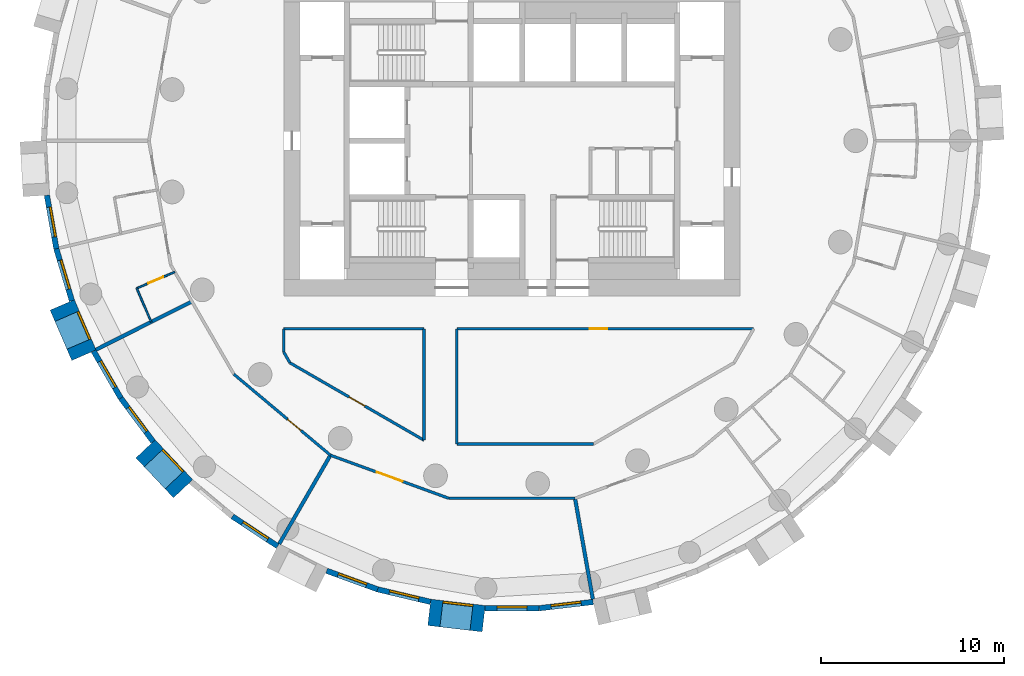
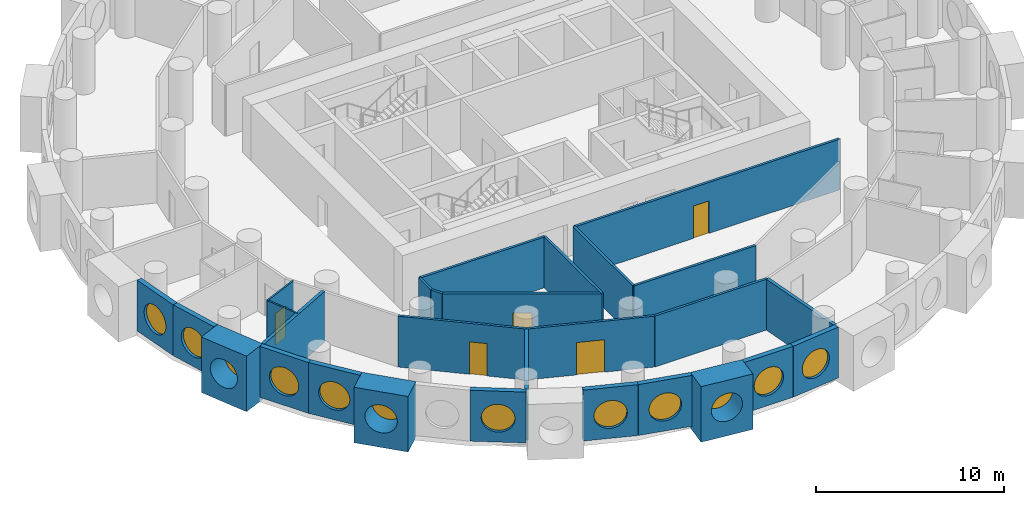
# One storey, part 2 of 9: 28 walls, 12 windows, 5 doors, 17 openings.
"""IFC4 building model written with IfcOpenShell, lengths in metres."""

from ifc_helpers import new_model, si_unit, direction, frame, frame_2d, origin, origin_2d, place, context, subcontext, project, spatial, rectangle, circle, extrude, material, layer, layer_set, type_object, element, fill, save


model = new_model("IFC4")

# Units and contexts
model_context = context("Model", 3, precision=1e-05, world=origin(), true_north=direction((0.0, 1.0)))
body_context = subcontext(model_context, "Body", "Model", "MODEL_VIEW")
ifc_project = project(units=[si_unit("LENGTHUNIT", "METRE"), si_unit("AREAUNIT", "SQUARE_METRE"), si_unit("VOLUMEUNIT", "CUBIC_METRE"), si_unit("PLANEANGLEUNIT", "RADIAN"), si_unit("MASSUNIT", "GRAM", prefix="KILO")], contexts=[model_context])

# Site, building, storey
site_placement = place(None, origin())
site = spatial("IfcSite", under=ifc_project, at=site_placement, CompositionType="ELEMENT")
building_placement = place(site_placement, origin())
building = spatial("IfcBuilding", under=site, at=building_placement, Name="Tracery Tower", CompositionType="ELEMENT")
storey_placement = place(building_placement, frame((0.0, 0.0, 198.0)))
storey = spatial("IfcBuildingStorey", under=building, at=storey_placement, Name="L51", CompositionType="ELEMENT", Elevation=198.0)

# Wall, opening, window
ifc_material_1 = material(Name="Precast concrete C50/60", Category="concrete")
ifc_layer_1 = layer(ifc_material_1, 1.449951171875)
ifc_layer_set_1 = layer_set([ifc_layer_1], Name="Deep-set bay unit 3000 x 3600, slab edge 300")
wall_type_1 = type_object("IfcWallType", Name="Deep-set bay unit 3000 x 3600, slab edge 300", PredefinedType="ELEMENTEDWALL", material=ifc_layer_set_1)
wall_1_placement = place(storey_placement, frame((-24.632080078125, -8.99169921875, -0.300048828125), z_axis=(0.0, 0.0, 1.0), x_axis=(0.396079003245, -0.918216435917, 0.0)))
wall_1 = element("IfcWall", 1, at=wall_1_placement, inside=storey, type_object=wall_type_1, Name="Deep-set bay unit 31 at L51", PredefinedType="ELEMENTEDWALL", context=body_context, shape_type="SweptSolid", body=[
    extrude(rectangle(XDim=3.0, YDim=1.449951171875, at=frame_2d((1.5, 0.0))), origin(), (0.0, 0.0, 1.0), 3.60009765625),
])
opening_1_placement = place(wall_1_placement, frame((1.5, 0.0, 1.85009765625)))
opening_1 = element("IfcOpeningElement", 2, at=opening_1_placement, cuts=wall_1, Name="Opening WN1", PredefinedType="OPENING", context=body_context, shape_type="SweptSolid", body=[
    extrude(circle(Radius=0.9000244140625, at=origin_2d()), frame((0.0, 0.73486328125, 0.0), z_axis=(0.0, -1.0, 0.0), x_axis=(1.0, 0.0, 0.0)), (0.0, 0.0, 1.0), 1.469970703125),
])
ifc_material_2 = material(Name="Aluminium frame with tinted double glazing", Category="aluminium")
window_type = type_object("IfcWindowType", Name="Round window 1800", PartitioningType="SINGLE_PANEL", PredefinedType="WINDOW", material=ifc_material_2)
window_1_placement = place(opening_1_placement, origin())
window_1 = element("IfcWindow", 3, at=window_1_placement, inside=storey, type_object=window_type, Name="Round window 31 at L51", OverallHeight=1.800048828125, OverallWidth=1.800048828125, PartitioningType="SINGLE_PANEL", PredefinedType="WINDOW", context=body_context, shape_type="SweptSolid", body=[
    extrude(circle(Radius=0.9000244140625, at=origin_2d()), frame((0.0, 0.69482421875, 0.0), z_axis=(0.0, -1.0, 0.0), x_axis=(1.0, 0.0, 0.0)), (0.0, 0.0, 1.0), 0.10009765625),
])
fill(opening_1, window_1)

wall_2_placement = place(storey_placement, frame((-20.0712890625, -16.8740234375, -0.300048828125), z_axis=(0.0, 0.0, 1.0), x_axis=(0.686217177108, -0.727396718334, 0.0)))
wall_2 = element("IfcWall", 4, at=wall_2_placement, inside=storey, type_object=wall_type_1, Name="Deep-set bay unit 34 at L51", PredefinedType="ELEMENTEDWALL", context=body_context, shape_type="SweptSolid", body=[
    extrude(rectangle(XDim=3.0, YDim=1.449951171875, at=frame_2d((1.5, 0.0))), origin(), (0.0, 0.0, 1.0), 3.60009765625),
])
opening_2_placement = place(wall_2_placement, frame((1.5, 0.0, 1.85009765625)))
opening_2 = element("IfcOpeningElement", 5, at=opening_2_placement, cuts=wall_2, Name="Opening WN1", PredefinedType="OPENING", context=body_context, shape_type="SweptSolid", body=[
    extrude(circle(Radius=0.9000244140625, at=origin_2d()), frame((0.0, 0.73486328125, 0.0), z_axis=(0.0, -1.0, 0.0), x_axis=(1.0, 0.0, 0.0)), (0.0, 0.0, 1.0), 1.469970703125),
])
window_2_placement = place(opening_2_placement, origin())
window_2 = element("IfcWindow", 6, at=window_2_placement, inside=storey, type_object=window_type, Name="Round window 34 at L51", OverallHeight=1.800048828125, OverallWidth=1.800048828125, PartitioningType="SINGLE_PANEL", PredefinedType="WINDOW", context=body_context, shape_type="SweptSolid", body=[
    extrude(circle(Radius=0.9000244140625, at=origin_2d()), frame((0.0, 0.69482421875, 0.0), z_axis=(0.0, -1.0, 0.0), x_axis=(1.0, 0.0, 0.0)), (0.0, 0.0, 1.0), 0.10009765625),
])
fill(opening_2, window_2)

wall_3_placement = place(storey_placement, frame((-4.529052734375, -25.827880859375, -0.300048828125), z_axis=(0.0, 0.0, 1.0), x_axis=(0.9932342274, -0.116128246006, 0.0)))
wall_3 = element("IfcWall", 7, at=wall_3_placement, inside=storey, type_object=wall_type_1, Name="Deep-set bay unit 40 at L51", PredefinedType="ELEMENTEDWALL", context=body_context, shape_type="SweptSolid", body=[
    extrude(rectangle(XDim=3.0, YDim=1.449951171875, at=frame_2d((1.5, 0.0))), origin(), (0.0, 0.0, 1.0), 3.60009765625),
])
opening_3_placement = place(wall_3_placement, frame((1.5, 0.0, 1.85009765625)))
opening_3 = element("IfcOpeningElement", 8, at=opening_3_placement, cuts=wall_3, Name="Opening WN1", PredefinedType="OPENING", context=body_context, shape_type="SweptSolid", body=[
    extrude(circle(Radius=0.9000244140625, at=origin_2d()), frame((0.0, 0.73486328125, 0.0), z_axis=(0.0, -1.0, 0.0), x_axis=(1.0, 0.0, 0.0)), (0.0, 0.0, 1.0), 1.469970703125),
])
window_3_placement = place(opening_3_placement, origin())
window_3 = element("IfcWindow", 9, at=window_3_placement, inside=storey, type_object=window_type, Name="Round window 40 at L51", OverallHeight=1.800048828125, OverallWidth=1.800048828125, PartitioningType="SINGLE_PANEL", PredefinedType="WINDOW", context=body_context, shape_type="SweptSolid", body=[
    extrude(circle(Radius=0.9000244140625, at=origin_2d()), frame((0.0, 0.69482421875, 0.0), z_axis=(0.0, -1.0, 0.0), x_axis=(1.0, 0.0, 0.0)), (0.0, 0.0, 1.0), 0.10009765625),
])
fill(opening_3, window_3)

ifc_material_3 = material(Name="Precast concrete C50/60", Category="concrete")
ifc_layer_2 = layer(ifc_material_3, 0.300048828125)
ifc_layer_set_2 = layer_set([ifc_layer_2], Name="Facade panel 3000 x 3300")
wall_type_2 = type_object("IfcWallType", Name="Facade panel 3000 x 3300", PredefinedType="SOLIDWALL", material=ifc_layer_set_2)
wall_4_placement = place(storey_placement, frame((-25.472412109375, -2.987060546875, 0.0), z_axis=(0.0, 0.0, 1.0), x_axis=(0.173686952598, -0.984800915159, 0.0)))
wall_4 = element("IfcWall", 10, at=wall_4_placement, inside=storey, type_object=wall_type_2, Name="Facade panel 29 at L51", PredefinedType="SOLIDWALL", context=body_context, shape_type="SweptSolid", body=[
    extrude(rectangle(XDim=2.972900390625, YDim=0.300048828125, at=frame_2d((1.486328125, 0.0))), origin(), (0.0, 0.0, 1.0), 3.300048828125),
])
opening_4_placement = place(wall_4_placement, frame((1.486328125, 0.0, 1.5498046875)))
opening_4 = element("IfcOpeningElement", 11, at=opening_4_placement, cuts=wall_4, Name="Opening WN1", PredefinedType="OPENING", context=body_context, shape_type="SweptSolid", body=[
    extrude(circle(Radius=0.9000244140625, at=origin_2d()), frame((0.0, 0.159912109375, 0.0), z_axis=(0.0, -1.0, 0.0), x_axis=(1.0, 0.0, 0.0)), (0.0, 0.0, 1.0), 0.320068359375),
])
window_4_placement = place(opening_4_placement, origin())
window_4 = element("IfcWindow", 12, at=window_4_placement, inside=storey, type_object=window_type, Name="Round window 29 at L51", OverallHeight=1.800048828125, OverallWidth=1.800048828125, PartitioningType="SINGLE_PANEL", PredefinedType="WINDOW", context=body_context, shape_type="SweptSolid", body=[
    extrude(circle(Radius=0.9000244140625, at=origin_2d()), frame((0.0, 0.1201171875, 0.0), z_axis=(0.0, -1.0, 0.0), x_axis=(1.0, 0.0, 0.0)), (0.0, 0.0, 1.0), 0.10009765625),
])
fill(opening_4, window_4)

wall_5_placement = place(storey_placement, frame((-24.9560546875, -5.914794921875, 0.0), z_axis=(0.0, 0.0, 1.0), x_axis=(0.286782750849, -0.957995643944, 0.0)))
wall_5 = element("IfcWall", 13, at=wall_5_placement, inside=storey, type_object=wall_type_2, Name="Facade panel 30 at L51", PredefinedType="SOLIDWALL", context=body_context, shape_type="SweptSolid", body=[
    extrude(rectangle(XDim=2.97265625, YDim=0.300048828125, at=frame_2d((1.486328125, 0.0))), origin(), (0.0, 0.0, 1.0), 3.300048828125),
])
opening_5_placement = place(wall_5_placement, frame((1.486328125, 0.0, 1.5498046875)))
opening_5 = element("IfcOpeningElement", 14, at=opening_5_placement, cuts=wall_5, Name="Opening WN1", PredefinedType="OPENING", context=body_context, shape_type="SweptSolid", body=[
    extrude(circle(Radius=0.9000244140625, at=origin_2d()), frame((0.0, 0.159912109375, 0.0), z_axis=(0.0, -1.0, 0.0), x_axis=(1.0, 0.0, 0.0)), (0.0, 0.0, 1.0), 0.320068359375),
])
window_5_placement = place(opening_5_placement, origin())
window_5 = element("IfcWindow", 15, at=window_5_placement, inside=storey, type_object=window_type, Name="Round window 30 at L51", OverallHeight=1.800048828125, OverallWidth=1.800048828125, PartitioningType="SINGLE_PANEL", PredefinedType="WINDOW", context=body_context, shape_type="SweptSolid", body=[
    extrude(circle(Radius=0.9000244140625, at=origin_2d()), frame((0.0, 0.1201171875, 0.0), z_axis=(0.0, -1.0, 0.0), x_axis=(1.0, 0.0, 0.0)), (0.0, 0.0, 1.0), 0.10009765625),
])
fill(opening_5, window_5)

wall_6_placement = place(storey_placement, frame((-22.91455078125, -11.518798828125, 0.0), z_axis=(0.0, 0.0, 1.0), x_axis=(0.499954672104, -0.866051572276, 0.0)))
wall_6 = element("IfcWall", 16, at=wall_6_placement, inside=storey, type_object=wall_type_2, Name="Facade panel 32 at L51", PredefinedType="SOLIDWALL", context=body_context, shape_type="SweptSolid", body=[
    extrude(rectangle(XDim=2.972900390625, YDim=0.300048828125, at=frame_2d((1.486328125, 0.0))), origin(), (0.0, 0.0, 1.0), 3.300048828125),
])
opening_6_placement = place(wall_6_placement, frame((1.486328125, 0.0, 1.5498046875)))
opening_6 = element("IfcOpeningElement", 17, at=opening_6_placement, cuts=wall_6, Name="Opening WN1", PredefinedType="OPENING", context=body_context, shape_type="SweptSolid", body=[
    extrude(circle(Radius=0.9000244140625, at=origin_2d()), frame((0.0, 0.159912109375, 0.0), z_axis=(0.0, -1.0, 0.0), x_axis=(1.0, 0.0, 0.0)), (0.0, 0.0, 1.0), 0.320068359375),
])
window_6_placement = place(opening_6_placement, origin())
window_6 = element("IfcWindow", 18, at=window_6_placement, inside=storey, type_object=window_type, Name="Round window 32 at L51", OverallHeight=1.800048828125, OverallWidth=1.800048828125, PartitioningType="SINGLE_PANEL", PredefinedType="WINDOW", context=body_context, shape_type="SweptSolid", body=[
    extrude(circle(Radius=0.9000244140625, at=origin_2d()), frame((0.0, 0.1201171875, 0.0), z_axis=(0.0, -1.0, 0.0), x_axis=(1.0, 0.0, 0.0)), (0.0, 0.0, 1.0), 0.10009765625),
])
fill(opening_6, window_6)

wall_7_placement = place(storey_placement, frame((-21.42822265625, -14.093505859375, 0.0), z_axis=(0.0, 0.0, 1.0), x_axis=(0.597197580538, -0.80209416517, 0.0)))
wall_7 = element("IfcWall", 19, at=wall_7_placement, inside=storey, type_object=wall_type_2, Name="Facade panel 33 at L51", PredefinedType="SOLIDWALL", context=body_context, shape_type="SweptSolid", body=[
    extrude(rectangle(XDim=2.972900390625, YDim=0.300048828125, at=frame_2d((1.486328125, 0.0))), origin(), (0.0, 0.0, 1.0), 3.300048828125),
])
opening_7_placement = place(wall_7_placement, frame((1.486328125, 0.0, 1.5498046875)))
opening_7 = element("IfcOpeningElement", 20, at=opening_7_placement, cuts=wall_7, Name="Opening WN1", PredefinedType="OPENING", context=body_context, shape_type="SweptSolid", body=[
    extrude(circle(Radius=0.9000244140625, at=origin_2d()), frame((0.0, 0.159912109375, 0.0), z_axis=(0.0, -1.0, 0.0), x_axis=(1.0, 0.0, 0.0)), (0.0, 0.0, 1.0), 0.320068359375),
])
window_7_placement = place(opening_7_placement, origin())
window_7 = element("IfcWindow", 21, at=window_7_placement, inside=storey, type_object=window_type, Name="Round window 33 at L51", OverallHeight=1.800048828125, OverallWidth=1.800048828125, PartitioningType="SINGLE_PANEL", PredefinedType="WINDOW", context=body_context, shape_type="SweptSolid", body=[
    extrude(circle(Radius=0.9000244140625, at=origin_2d()), frame((0.0, 0.1201171875, 0.0), z_axis=(0.0, -1.0, 0.0), x_axis=(1.0, 0.0, 0.0)), (0.0, 0.0, 1.0), 0.10009765625),
])
fill(opening_7, window_7)

wall_8_placement = place(storey_placement, frame((-15.315673828125, -20.572509765625, 0.0), z_axis=(0.0, 0.0, 1.0), x_axis=(0.835508361394, -0.54947773207, 0.0)))
wall_8 = element("IfcWall", 22, at=wall_8_placement, inside=storey, type_object=wall_type_2, Name="Facade panel 36 at L51", PredefinedType="SOLIDWALL", context=body_context, shape_type="SweptSolid", body=[
    extrude(rectangle(XDim=2.972900390625, YDim=0.300048828125, at=frame_2d((1.486328125, 0.0))), origin(), (0.0, 0.0, 1.0), 3.300048828125),
])
opening_8_placement = place(wall_8_placement, frame((1.486328125, 0.0, 1.5498046875)))
opening_8 = element("IfcOpeningElement", 23, at=opening_8_placement, cuts=wall_8, Name="Opening WN1", PredefinedType="OPENING", context=body_context, shape_type="SweptSolid", body=[
    extrude(circle(Radius=0.9000244140625, at=origin_2d()), frame((0.0, 0.159912109375, 0.0), z_axis=(0.0, -1.0, 0.0), x_axis=(1.0, 0.0, 0.0)), (0.0, 0.0, 1.0), 0.320068359375),
])
window_8_placement = place(opening_8_placement, origin())
window_8 = element("IfcWindow", 24, at=window_8_placement, inside=storey, type_object=window_type, Name="Round window 36 at L51", OverallHeight=1.800048828125, OverallWidth=1.800048828125, PartitioningType="SINGLE_PANEL", PredefinedType="WINDOW", context=body_context, shape_type="SweptSolid", body=[
    extrude(circle(Radius=0.9000244140625, at=origin_2d()), frame((0.0, 0.1201171875, 0.0), z_axis=(0.0, -1.0, 0.0), x_axis=(1.0, 0.0, 0.0)), (0.0, 0.0, 1.0), 0.10009765625),
])
fill(opening_8, window_8)

wall_9_placement = place(storey_placement, frame((-10.1494140625, -23.55322265625, 0.0), z_axis=(0.0, 0.0, 1.0), x_axis=(0.939690282133, -0.342026568652, 0.0)))
wall_9 = element("IfcWall", 25, at=wall_9_placement, inside=storey, type_object=wall_type_2, Name="Facade panel 38 at L51", PredefinedType="SOLIDWALL", context=body_context, shape_type="SweptSolid", body=[
    extrude(rectangle(XDim=2.972900390625, YDim=0.300048828125, at=frame_2d((1.486328125, 0.0))), origin(), (0.0, 0.0, 1.0), 3.300048828125),
])
opening_9_placement = place(wall_9_placement, frame((1.486328125, 0.0, 1.5498046875)))
opening_9 = element("IfcOpeningElement", 26, at=opening_9_placement, cuts=wall_9, Name="Opening WN1", PredefinedType="OPENING", context=body_context, shape_type="SweptSolid", body=[
    extrude(circle(Radius=0.9000244140625, at=origin_2d()), frame((0.0, 0.159912109375, 0.0), z_axis=(0.0, -1.0, 0.0), x_axis=(1.0, 0.0, 0.0)), (0.0, 0.0, 1.0), 0.320068359375),
])
window_9_placement = place(opening_9_placement, origin())
window_9 = element("IfcWindow", 27, at=window_9_placement, inside=storey, type_object=window_type, Name="Round window 38 at L51", OverallHeight=1.800048828125, OverallWidth=1.800048828125, PartitioningType="SINGLE_PANEL", PredefinedType="WINDOW", context=body_context, shape_type="SweptSolid", body=[
    extrude(circle(Radius=0.9000244140625, at=origin_2d()), frame((0.0, 0.1201171875, 0.0), z_axis=(0.0, -1.0, 0.0), x_axis=(1.0, 0.0, 0.0)), (0.0, 0.0, 1.0), 0.10009765625),
])
fill(opening_9, window_9)

wall_10_placement = place(storey_placement, frame((-7.355712890625, -24.570068359375, 0.0), z_axis=(0.0, 0.0, 1.0), x_axis=(0.973045378923, -0.230613725862, 0.0)))
wall_10 = element("IfcWall", 28, at=wall_10_placement, inside=storey, type_object=wall_type_2, Name="Facade panel 39 at L51", PredefinedType="SOLIDWALL", context=body_context, shape_type="SweptSolid", body=[
    extrude(rectangle(XDim=2.97265625, YDim=0.300048828125, at=frame_2d((1.486328125, 0.0))), origin(), (0.0, 0.0, 1.0), 3.300048828125),
])
opening_10_placement = place(wall_10_placement, frame((1.486328125, 0.0, 1.5498046875)))
opening_10 = element("IfcOpeningElement", 29, at=opening_10_placement, cuts=wall_10, Name="Opening WN1", PredefinedType="OPENING", context=body_context, shape_type="SweptSolid", body=[
    extrude(circle(Radius=0.9000244140625, at=origin_2d()), frame((0.0, 0.159912109375, 0.0), z_axis=(0.0, -1.0, 0.0), x_axis=(1.0, 0.0, 0.0)), (0.0, 0.0, 1.0), 0.320068359375),
])
window_10_placement = place(opening_10_placement, origin())
window_10 = element("IfcWindow", 30, at=window_10_placement, inside=storey, type_object=window_type, Name="Round window 39 at L51", OverallHeight=1.800048828125, OverallWidth=1.800048828125, PartitioningType="SINGLE_PANEL", PredefinedType="WINDOW", context=body_context, shape_type="SweptSolid", body=[
    extrude(circle(Radius=0.9000244140625, at=origin_2d()), frame((0.0, 0.1201171875, 0.0), z_axis=(0.0, -1.0, 0.0), x_axis=(1.0, 0.0, 0.0)), (0.0, 0.0, 1.0), 0.10009765625),
])
fill(opening_10, window_10)

wall_11_placement = place(storey_placement, frame((-1.481689453125, -25.60400390625, 0.0), z_axis=(0.0, 0.0, 1.0), x_axis=(1.0, 0.0, 0.0)))
wall_11 = element("IfcWall", 31, at=wall_11_placement, inside=storey, type_object=wall_type_2, Name="Facade panel 41 at L51", PredefinedType="SOLIDWALL", context=body_context, shape_type="SweptSolid", body=[
    extrude(rectangle(XDim=2.972900390625, YDim=0.300048828125, at=frame_2d((1.486328125, 0.0))), origin(), (0.0, 0.0, 1.0), 3.300048828125),
])
opening_11_placement = place(wall_11_placement, frame((1.486328125, 0.0, 1.5498046875)))
opening_11 = element("IfcOpeningElement", 32, at=opening_11_placement, cuts=wall_11, Name="Opening WN1", PredefinedType="OPENING", context=body_context, shape_type="SweptSolid", body=[
    extrude(circle(Radius=0.9000244140625, at=origin_2d()), frame((0.0, 0.159912109375, 0.0), z_axis=(0.0, -1.0, 0.0), x_axis=(1.0, 0.0, 0.0)), (0.0, 0.0, 1.0), 0.320068359375),
])
window_11_placement = place(opening_11_placement, origin())
window_11 = element("IfcWindow", 33, at=window_11_placement, inside=storey, type_object=window_type, Name="Round window 41 at L51", OverallHeight=1.800048828125, OverallWidth=1.800048828125, PartitioningType="SINGLE_PANEL", PredefinedType="WINDOW", context=body_context, shape_type="SweptSolid", body=[
    extrude(circle(Radius=0.9000244140625, at=origin_2d()), frame((0.0, 0.1201171875, 0.0), z_axis=(0.0, -1.0, 0.0), x_axis=(1.0, 0.0, 0.0)), (0.0, 0.0, 1.0), 0.10009765625),
])
fill(opening_11, window_11)

wall_12_placement = place(storey_placement, frame((1.4912109375, -25.60400390625, 0.0), z_axis=(0.0, 0.0, 1.0), x_axis=(0.993245010522, 0.1160359818, 0.0)))
wall_12 = element("IfcWall", 34, at=wall_12_placement, inside=storey, type_object=wall_type_2, Name="Facade panel 42 at L51", PredefinedType="SOLIDWALL", context=body_context, shape_type="SweptSolid", body=[
    extrude(rectangle(XDim=2.972900390625, YDim=0.300048828125, at=frame_2d((1.486328125, 0.0))), origin(), (0.0, 0.0, 1.0), 3.300048828125),
])
opening_12_placement = place(wall_12_placement, frame((1.486328125, 0.0, 1.5498046875)))
opening_12 = element("IfcOpeningElement", 35, at=opening_12_placement, cuts=wall_12, Name="Opening WN1", PredefinedType="OPENING", context=body_context, shape_type="SweptSolid", body=[
    extrude(circle(Radius=0.9000244140625, at=origin_2d()), frame((0.0, 0.159912109375, 0.0), z_axis=(0.0, -1.0, 0.0), x_axis=(1.0, 0.0, 0.0)), (0.0, 0.0, 1.0), 0.320068359375),
])
window_12_placement = place(opening_12_placement, origin())
window_12 = element("IfcWindow", 36, at=window_12_placement, inside=storey, type_object=window_type, Name="Round window 42 at L51", OverallHeight=1.800048828125, OverallWidth=1.800048828125, PartitioningType="SINGLE_PANEL", PredefinedType="WINDOW", context=body_context, shape_type="SweptSolid", body=[
    extrude(circle(Radius=0.9000244140625, at=origin_2d()), frame((0.0, 0.1201171875, 0.0), z_axis=(0.0, -1.0, 0.0), x_axis=(1.0, 0.0, 0.0)), (0.0, 0.0, 1.0), 0.10009765625),
])
fill(opening_12, window_12)

# Wall, opening, door
ifc_material_4 = material(Name="Plasterboard on steel studs", Category="steel")
ifc_layer_3 = layer(ifc_material_4, 0.10009765625)
ifc_layer_set_3 = layer_set([ifc_layer_3], Name="Partition 100 wet wall")
wall_type_3 = type_object("IfcWallType", Name="Partition 100 wet wall", PredefinedType="PARTITIONING", material=ifc_layer_set_3)
wall_13_placement = place(storey_placement, frame((-20.552978515625, -8.083984375, 0.0), z_axis=(0.0, 0.0, 1.0), x_axis=(0.918353723737, 0.395760581789, 0.0)))
wall_13 = element("IfcWall", 37, at=wall_13_placement, inside=storey, type_object=wall_type_3, Name="Wet wall RB7-052", PredefinedType="PARTITIONING", context=body_context, shape_type="SweptSolid", body=[
    extrude(rectangle(XDim=2.271484375, YDim=0.10009765625, at=frame_2d((1.1357421875, 0.0))), origin(), (0.0, 0.0, 1.0), 3.300048828125),
])
opening_13_placement = place(wall_13_placement, frame((0.685546875, 0.0, 0.0)))
opening_13 = element("IfcOpeningElement", 38, at=opening_13_placement, cuts=wall_13, Name="Opening RB7-14", PredefinedType="OPENING", context=body_context, shape_type="SweptSolid", body=[
    extrude(rectangle(XDim=0.89990234375, YDim=2.0400390625, at=frame_2d((0.449951171875, 1.02001953125))), frame((0.0, 0.050048828125, 0.0), z_axis=(0.0, -1.0, 0.0), x_axis=(1.0, 0.0, 0.0)), (0.0, 0.0, 1.0), 0.10009765625),
])
ifc_material_5 = material(Name="Timber door leaf", Category="wood")
door_type_1 = type_object("IfcDoorType", Name="Door en-suite 900", OperationType="NOTDEFINED", PredefinedType="DOOR", material=ifc_material_5)
door_1_placement = place(opening_13_placement, origin())
door_1 = element("IfcDoor", 39, at=door_1_placement, inside=storey, type_object=door_type_1, Name="En-suite door RB7-14", OperationType="SINGLE_SWING_RIGHT", OverallHeight=2.0400390625, OverallWidth=0.89990234375, PredefinedType="DOOR", context=body_context, shape_type="SweptSolid", body=[
    extrude(rectangle(XDim=0.89990234375, YDim=2.0400390625, at=frame_2d((0.449951171875, 1.02001953125))), frame((0.0, 0.02490234375, 0.0), z_axis=(0.0, -1.0, 0.0), x_axis=(1.0, 0.0, 0.0)), (0.0, 0.0, 1.0), 0.050048828125),
])
fill(opening_13, door_1)

# Walls
wall_14_placement = place(storey_placement, frame((-20.552978515625, -8.083984375, 0.0), z_axis=(0.0, 0.0, 1.0), x_axis=(0.395756708969, -0.918355392703, 0.0)))
element("IfcWall", 40, at=wall_14_placement, inside=storey, type_object=wall_type_3, Name="Wet wall RB7-053", PredefinedType="PARTITIONING", context=body_context, shape_type="SweptSolid", body=[
    extrude(rectangle(XDim=2.003662109375, YDim=0.10009765625, at=frame_2d((1.001953125, 0.0))), origin(), (0.0, 0.0, 1.0), 3.300048828125),
])
ifc_material_6 = material(Name="Plasterboard on steel studs", Category="steel")
ifc_layer_4 = layer(ifc_material_6, 0.14990234375)
ifc_layer_set_4 = layer_set([ifc_layer_4], Name="Partition 150 corridor wall")
wall_type_4 = type_object("IfcWallType", Name="Partition 150 corridor wall", PredefinedType="PARTITIONING", material=ifc_layer_set_4)
wall_15_placement = place(storey_placement, frame((-12.50390625, -10.300048828125, 0.0), z_axis=(0.0, 0.0, 1.0), x_axis=(1.0, 0.0, 0.0)))
element("IfcWall", 41, at=wall_15_placement, inside=storey, type_object=wall_type_4, Name="Corridor wall RB7-003", PredefinedType="PARTITIONING", context=body_context, shape_type="SweptSolid", body=[
    extrude(rectangle(XDim=7.68701171875, YDim=0.14990234375, at=frame_2d((3.843505859375, 0.0))), origin(), (0.0, 0.0, 1.0), 3.300048828125),
])

# Wall, opening, door
wall_16_placement = place(storey_placement, frame((-3.02490234375, -10.300048828125, 0.0), z_axis=(0.0, 0.0, 1.0), x_axis=(1.0, 0.0, 0.0)))
wall_16 = element("IfcWall", 42, at=wall_16_placement, inside=storey, type_object=wall_type_4, Name="Corridor wall RB7-004", PredefinedType="PARTITIONING", context=body_context, shape_type="SweptSolid", body=[
    extrude(rectangle(XDim=16.261962890625, YDim=0.14990234375, at=frame_2d((8.130859375, 0.0))), origin(), (0.0, 0.0, 1.0), 3.300048828125),
])
opening_14_placement = place(wall_16_placement, frame((7.287109375, 0.0, 0.0)))
opening_14 = element("IfcOpeningElement", 43, at=opening_14_placement, cuts=wall_16, Name="Opening RB7-04", PredefinedType="OPENING", context=body_context, shape_type="SweptSolid", body=[
    extrude(rectangle(XDim=0.949951171875, YDim=2.10009765625, at=frame_2d((0.47509765625, 1.050048828125))), frame((0.0, 0.074951171875, 0.0), z_axis=(0.0, -1.0, 0.0), x_axis=(1.0, 0.0, 0.0)), (0.0, 0.0, 1.0), 0.14990234375),
])
ifc_material_7 = material(Name="Timber door leaf", Category="wood")
door_type_2 = type_object("IfcDoorType", Name="Door store 950", OperationType="NOTDEFINED", PredefinedType="DOOR", material=ifc_material_7)
door_2_placement = place(opening_14_placement, origin())
door_2 = element("IfcDoor", 44, at=door_2_placement, inside=storey, type_object=door_type_2, Name="Store door RB7-04", OperationType="SINGLE_SWING_RIGHT", OverallHeight=2.10009765625, OverallWidth=0.949951171875, PredefinedType="DOOR", context=body_context, shape_type="SweptSolid", body=[
    extrude(rectangle(XDim=0.949951171875, YDim=2.10009765625, at=frame_2d((0.47509765625, 1.050048828125))), frame((0.0, 0.02490234375, 0.0), z_axis=(0.0, -1.0, 0.0), x_axis=(1.0, 0.0, 0.0)), (0.0, 0.0, 1.0), 0.050048828125),
])
fill(opening_14, door_2)

# Walls
wall_17_placement = place(storey_placement, frame((-12.5, -11.576904296875, 0.0), z_axis=(0.0, 0.0, 1.0), x_axis=(0.0, 1.0, 0.0)))
element("IfcWall", 45, at=wall_17_placement, inside=storey, type_object=wall_type_4, Name="Corridor wall RB7-025", PredefinedType="PARTITIONING", context=body_context, shape_type="SweptSolid", body=[
    extrude(rectangle(XDim=1.27685546875, YDim=0.14990234375, at=frame_2d((0.638427734375, 0.0))), origin(), (0.0, 0.0, 1.0), 3.300048828125),
])
wall_18_placement = place(storey_placement, frame((-12.5, -11.576904296875, 0.0), z_axis=(0.0, 0.0, 1.0), x_axis=(0.500024767483, -0.866011103799, 0.0)))
element("IfcWall", 46, at=wall_18_placement, inside=storey, type_object=wall_type_4, Name="Corridor wall RB7-026", PredefinedType="PARTITIONING", context=body_context, shape_type="SweptSolid", body=[
    extrude(rectangle(XDim=0.67578125, YDim=0.14990234375, at=frame_2d((0.337890625, 0.0))), origin(), (0.0, 0.0, 1.0), 3.300048828125),
])

# Wall, opening, door
wall_19_placement = place(storey_placement, frame((-15.235107421875, -12.783935546875, 0.0), z_axis=(0.0, 0.0, 1.0), x_axis=(0.766192104565, -0.642611592567, 0.0)))
wall_19 = element("IfcWall", 47, at=wall_19_placement, inside=storey, type_object=wall_type_4, Name="Corridor wall RB7-031", PredefinedType="PARTITIONING", context=body_context, shape_type="SweptSolid", body=[
    extrude(rectangle(XDim=6.906494140625, YDim=0.14990234375, at=frame_2d((3.453125, 0.0))), origin(), (0.0, 0.0, 1.0), 3.300048828125),
])
opening_15_placement = place(wall_19_placement, frame((3.848388671875, 0.0, 0.0)))
opening_15 = element("IfcOpeningElement", 48, at=opening_15_placement, cuts=wall_19, Name="Opening RB7-16", PredefinedType="OPENING", context=body_context, shape_type="SweptSolid", body=[
    extrude(rectangle(XDim=0.949951171875, YDim=2.10009765625, at=frame_2d((0.47509765625, 1.050048828125))), frame((0.0, 0.074951171875, 0.0), z_axis=(0.0, -1.0, 0.0), x_axis=(1.0, 0.0, 0.0)), (0.0, 0.0, 1.0), 0.14990234375),
])
door_3_placement = place(opening_15_placement, origin())
door_3 = element("IfcDoor", 49, at=door_3_placement, inside=storey, type_object=door_type_2, Name="Store door RB7-16", OperationType="SINGLE_SWING_LEFT", OverallHeight=2.10009765625, OverallWidth=0.949951171875, PredefinedType="DOOR", context=body_context, shape_type="SweptSolid", body=[
    extrude(rectangle(XDim=0.949951171875, YDim=2.10009765625, at=frame_2d((0.47509765625, 1.050048828125))), frame((0.0, 0.02490234375, 0.0), z_axis=(0.0, -1.0, 0.0), x_axis=(1.0, 0.0, 0.0)), (0.0, 0.0, 1.0), 0.050048828125),
])
fill(opening_15, door_3)

wall_20_placement = place(storey_placement, frame((-12.162109375, -12.162109375, 0.0), z_axis=(0.0, 0.0, 1.0), x_axis=(0.866004766557, -0.500035743023, 0.0)))
wall_20 = element("IfcWall", 50, at=wall_20_placement, inside=storey, type_object=wall_type_4, Name="Corridor wall RB7-032", PredefinedType="PARTITIONING", context=body_context, shape_type="SweptSolid", body=[
    extrude(rectangle(XDim=8.47705078125, YDim=0.14990234375, at=frame_2d((4.238525390625, 0.0))), origin(), (0.0, 0.0, 1.0), 3.300048828125),
])
opening_16_placement = place(wall_20_placement, frame((3.738037109375, 0.0, 0.0)))
opening_16 = element("IfcOpeningElement", 51, at=opening_16_placement, cuts=wall_20, Name="Opening RB7-03", PredefinedType="OPENING", context=body_context, shape_type="SweptSolid", body=[
    extrude(rectangle(XDim=1.0, YDim=2.0400390625, at=frame_2d((0.5, 1.02001953125))), frame((0.0, 0.074951171875, 0.0), z_axis=(0.0, -1.0, 0.0), x_axis=(1.0, 0.0, 0.0)), (0.0, 0.0, 1.0), 0.14990234375),
])
ifc_material_8 = material(Name="Timber door leaf", Category="wood")
door_type_3 = type_object("IfcDoorType", Name="Door communal room 1000", OperationType="NOTDEFINED", PredefinedType="DOOR", material=ifc_material_8)
door_4_placement = place(opening_16_placement, origin())
door_4 = element("IfcDoor", 52, at=door_4_placement, inside=storey, type_object=door_type_3, Name="Communal room door RB7-03", OperationType="SINGLE_SWING_LEFT", OverallHeight=2.0400390625, OverallWidth=1.0, PredefinedType="DOOR", context=body_context, shape_type="SweptSolid", body=[
    extrude(rectangle(XDim=1.0, YDim=2.0400390625, at=frame_2d((0.5, 1.02001953125))), frame((0.0, 0.02490234375, 0.0), z_axis=(0.0, -1.0, 0.0), x_axis=(1.0, 0.0, 0.0)), (0.0, 0.0, 1.0), 0.050048828125),
])
fill(opening_16, door_4)

# Walls
wall_21_placement = place(storey_placement, frame((-4.821044921875, -16.40087890625, 0.0), z_axis=(0.0, 0.0, 1.0), x_axis=(0.0, 1.0, 0.0)))
element("IfcWall", 53, at=wall_21_placement, inside=storey, type_object=wall_type_4, Name="Corridor wall RB7-033", PredefinedType="PARTITIONING", context=body_context, shape_type="SweptSolid", body=[
    extrude(rectangle(XDim=6.100830078125, YDim=0.14990234375, at=frame_2d((3.05029296875, 0.0))), origin(), (0.0, 0.0, 1.0), 3.300048828125),
])
wall_22_placement = place(storey_placement, frame((-3.02099609375, -16.614013671875, 0.0), z_axis=(0.0, 0.0, 1.0), x_axis=(0.0, 1.0, 0.0)))
element("IfcWall", 54, at=wall_22_placement, inside=storey, type_object=wall_type_4, Name="Corridor wall RB7-034", PredefinedType="PARTITIONING", context=body_context, shape_type="SweptSolid", body=[
    extrude(rectangle(XDim=6.31396484375, YDim=0.14990234375, at=frame_2d((3.156982421875, 0.0))), origin(), (0.0, 0.0, 1.0), 3.300048828125),
])
wall_23_placement = place(storey_placement, frame((-3.02099609375, -16.614013671875, 0.0), z_axis=(0.0, 0.0, 1.0), x_axis=(1.0, 0.0, 0.0)))
element("IfcWall", 55, at=wall_23_placement, inside=storey, type_object=wall_type_4, Name="Corridor wall RB7-035", PredefinedType="PARTITIONING", context=body_context, shape_type="SweptSolid", body=[
    extrude(rectangle(XDim=7.472900390625, YDim=0.14990234375, at=frame_2d((3.736328125, 0.0))), origin(), (0.0, 0.0, 1.0), 3.300048828125),
])
wall_24_placement = place(storey_placement, frame((-3.452880859375, -19.5859375, 0.0), z_axis=(0.0, 0.0, 1.0), x_axis=(1.0, 0.0, 0.0)))
element("IfcWall", 56, at=wall_24_placement, inside=storey, type_object=wall_type_4, Name="Corridor wall RB7-037", PredefinedType="PARTITIONING", context=body_context, shape_type="SweptSolid", body=[
    extrude(rectangle(XDim=6.90576171875, YDim=0.14990234375, at=frame_2d((3.452880859375, 0.0))), origin(), (0.0, 0.0, 1.0), 3.300048828125),
])

# Wall, opening, door
wall_25_placement = place(storey_placement, frame((-9.944091796875, -17.222900390625, 0.0), z_axis=(0.0, 0.0, 1.0), x_axis=(0.939672634566, -0.342075050021, 0.0)))
wall_25 = element("IfcWall", 57, at=wall_25_placement, inside=storey, type_object=wall_type_4, Name="Corridor wall RB7-038", PredefinedType="PARTITIONING", context=body_context, shape_type="SweptSolid", body=[
    extrude(rectangle(XDim=6.907958984375, YDim=0.14990234375, at=frame_2d((3.4541015625, 0.0))), origin(), (0.0, 0.0, 1.0), 3.300048828125),
])
opening_17_placement = place(wall_25_placement, frame((2.70361328125, 0.0, 0.0)))
opening_17 = element("IfcOpeningElement", 58, at=opening_17_placement, cuts=wall_25, Name="Opening RB7-17", PredefinedType="OPENING", context=body_context, shape_type="SweptSolid", body=[
    extrude(rectangle(XDim=1.5, YDim=2.10009765625, at=frame_2d((0.75, 1.050048828125))), frame((0.0, 0.074951171875, 0.0), z_axis=(0.0, -1.0, 0.0), x_axis=(1.0, 0.0, 0.0)), (0.0, 0.0, 1.0), 0.14990234375),
])
ifc_material_9 = material(Name="Timber door leaf", Category="wood")
door_type_4 = type_object("IfcDoorType", Name="Door double kitchen 1500", OperationType="NOTDEFINED", PredefinedType="DOOR", material=ifc_material_9)
door_5_placement = place(opening_17_placement, origin())
door_5 = element("IfcDoor", 59, at=door_5_placement, inside=storey, type_object=door_type_4, Name="Double kitchen door RB7-17", OperationType="DOUBLE_DOOR_SINGLE_SWING", OverallHeight=2.10009765625, OverallWidth=1.5, PredefinedType="DOOR", context=body_context, shape_type="SweptSolid", body=[
    extrude(rectangle(XDim=1.5, YDim=2.10009765625, at=frame_2d((0.75, 1.050048828125))), frame((0.0, 0.02490234375, 0.0), z_axis=(0.0, -1.0, 0.0), x_axis=(1.0, 0.0, 0.0)), (0.0, 0.0, 1.0), 0.050048828125),
])
fill(opening_17, door_5)

# Walls
ifc_material_10 = material(Name="Plasterboard on steel studs", Category="steel")
ifc_layer_5 = layer(ifc_material_10, 0.199951171875)
ifc_layer_set_5 = layer_set([ifc_layer_5], Name="Partition 200 compartment wall")
wall_type_5 = type_object("IfcWallType", Name="Partition 200 compartment wall", PredefinedType="PARTITIONING", material=ifc_layer_set_5)
wall_26_placement = place(storey_placement, frame((-22.784912109375, -11.443115234375, 0.0), z_axis=(0.0, 0.0, 1.0), x_axis=(0.893644988933, 0.448774591254, 0.0)))
element("IfcWall", 60, at=wall_26_placement, inside=storey, type_object=wall_type_5, Name="Compartment wall RB7-054", PredefinedType="PARTITIONING", context=body_context, shape_type="SweptSolid", body=[
    extrude(rectangle(XDim=5.878173828125, YDim=0.199951171875, at=frame_2d((2.93896484375, 0.0))), origin(), (0.0, 0.0, 1.0), 3.300048828125),
])
wall_27_placement = place(storey_placement, frame((-12.7490234375, -22.0810546875, 0.0), z_axis=(0.0, 0.0, 1.0), x_axis=(0.500010020406, 0.866019618423, 0.0)))
element("IfcWall", 61, at=wall_27_placement, inside=storey, type_object=wall_type_5, Name="Compartment wall RB7-055", PredefinedType="PARTITIONING", context=body_context, shape_type="SweptSolid", body=[
    extrude(rectangle(XDim=5.60986328125, YDim=0.199951171875, at=frame_2d((2.804931640625, 0.0))), origin(), (0.0, 0.0, 1.0), 3.300048828125),
])
wall_28_placement = place(storey_placement, frame((3.452880859375, -19.5859375, 0.0), z_axis=(0.0, 0.0, 1.0), x_axis=(0.17382754149, -0.984776109489, 0.0)))
element("IfcWall", 62, at=wall_28_placement, inside=storey, type_object=wall_type_5, Name="Compartment wall RB7-056", PredefinedType="PARTITIONING", context=body_context, shape_type="SweptSolid", body=[
    extrude(rectangle(XDim=5.609619140625, YDim=0.199951171875, at=frame_2d((2.8046875, 0.0))), origin(), (0.0, 0.0, 1.0), 3.300048828125),
])

save(model, "model.ifc")
